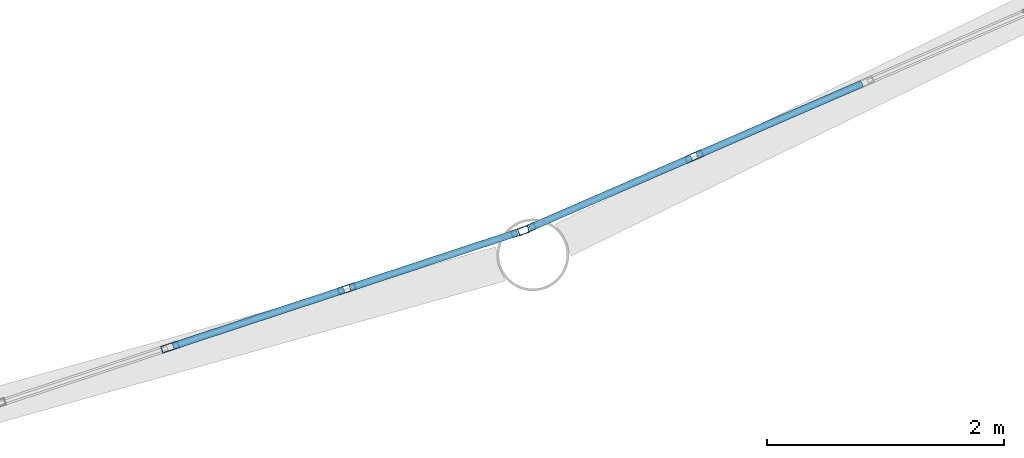
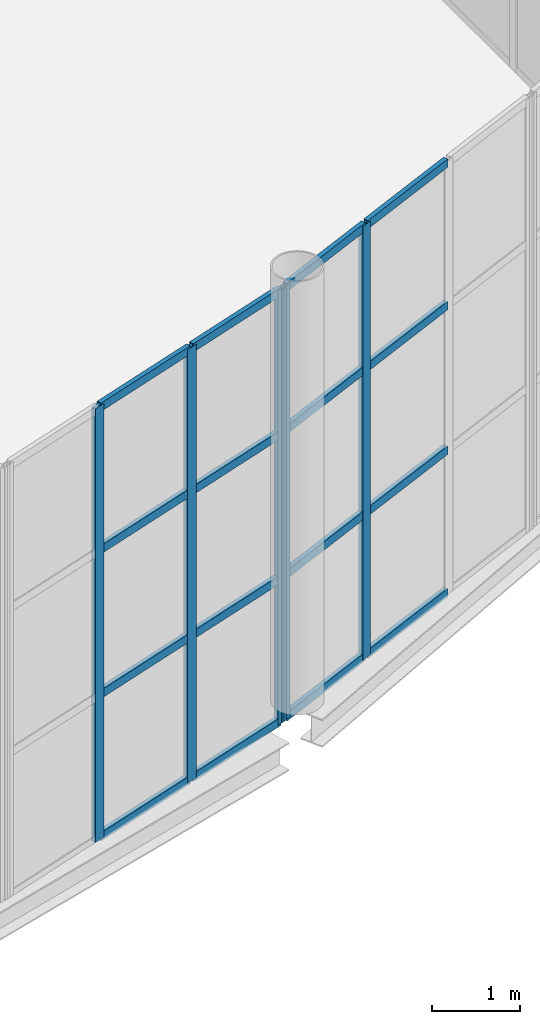
# One storey, part 46 of 191: 21 members, 2 elements without a shape of their own.
"""IFC4 building model written with IfcOpenShell, lengths in metres."""

from ifc_helpers import new_model, si_unit, direction, frame, origin, origin_2d, place, context, subcontext, project, spatial, hollow_rectangle, extrude, material, layer, layer_set, material_profile, profile_set, type_object, element, aggregate, save


model = new_model("IFC4")

# Units and contexts
model_context = context("Model", 3, precision=1e-05, world=origin(), true_north=direction((0.0, 1.0)))
body_context = subcontext(model_context, "Body", "Model", "MODEL_VIEW")
ifc_project = project(units=[si_unit("LENGTHUNIT", "METRE"), si_unit("AREAUNIT", "SQUARE_METRE"), si_unit("VOLUMEUNIT", "CUBIC_METRE"), si_unit("PLANEANGLEUNIT", "RADIAN"), si_unit("MASSUNIT", "GRAM", prefix="KILO")], contexts=[model_context])

# Site, building, storey
site_placement = place(None, origin())
site = spatial("IfcSite", under=ifc_project, at=site_placement, CompositionType="ELEMENT")
building_placement = place(site_placement, origin())
building = spatial("IfcBuilding", under=site, at=building_placement, Name="Tamarisk Ironworks Central Station", CompositionType="ELEMENT")
storey_placement = place(building_placement, frame((0.0, 0.0, 6.60009765625)))
storey = spatial("IfcBuildingStorey", under=building, at=storey_placement, Name="L01", CompositionType="ELEMENT", Elevation=6.60009765625)

# Curtain wall, members
ifc_material = material(Name="Anodized aluminium alloy 6063-T6", Category="aluminium")
ifc_layer = layer(ifc_material, 0.179931640625)
ifc_layer_set = layer_set([ifc_layer], Name="Anodized aluminium alloy 6063-T6")
curtain_wall_type = type_object("IfcCurtainWallType", Name="CW-02", PredefinedType="USERDEFINED", material=ifc_layer_set)
curtain_wall_1_placement = place(storey_placement, origin())
curtain_wall_1 = element("IfcCurtainWall", 1, at=curtain_wall_1_placement, inside=storey, type_object=curtain_wall_type, Name="SN rounded entrance hall L01 curtain wall bay 10", ObjectType="GLAZED CURTAIN WALL", PredefinedType="USERDEFINED")
ifc_material_profile_1 = material_profile(ifc_material, hollow_rectangle(XDim=0.06005859375, YDim=0.14990234375, WallThickness=0.00341796875, at=origin_2d()), Name="ALUM 150x60")
ifc_profile_set_1 = profile_set([ifc_material_profile_1], Name="Anodized aluminium alloy 6063-T6")
member_type_1 = type_object("IfcMemberType", Name="CWM-03", PredefinedType="MULLION", material=ifc_profile_set_1)
member_1_placement = place(storey_placement, frame((96.449951171875, 5.86962890625, -0.385009765625), z_axis=(0.0, 0.0, 1.0), x_axis=(-0.313098460171, 0.949720671692, 0.0)))
member_1 = element("IfcMember", 2, at=member_1_placement, type_object=member_type_1, Name="CW02 mullion 2", PredefinedType="MULLION", context=body_context, shape_type="SweptSolid", body=[
    extrude(hollow_rectangle(XDim=0.06005859375, YDim=0.14990234375, WallThickness=0.00341796875, at=origin_2d()), origin(), (0.0, 0.0, 1.0), 6.0048828125),
])
member_2_placement = place(storey_placement, frame((97.94091796875, 6.361083984375, -0.385009765625), z_axis=(0.0, 0.0, 1.0), x_axis=(-0.313098460171, 0.949720671692, 0.0)))
member_2 = element("IfcMember", 3, at=member_2_placement, type_object=member_type_1, Name="CW02 mullion 3", PredefinedType="MULLION", context=body_context, shape_type="SweptSolid", body=[
    extrude(hollow_rectangle(XDim=0.06005859375, YDim=0.14990234375, WallThickness=0.00341796875, at=origin_2d()), origin(), (0.0, 0.0, 1.0), 6.0048828125),
])
member_3_placement = place(storey_placement, frame((99.4033203125, 6.84326171875, -0.385009765625), z_axis=(0.0, 0.0, 1.0), x_axis=(-0.313098460171, 0.949720671692, 0.0)))
member_3 = element("IfcMember", 4, at=member_3_placement, type_object=member_type_1, Name="CW02 mullion 4", PredefinedType="MULLION", context=body_context, shape_type="SweptSolid", body=[
    extrude(hollow_rectangle(XDim=0.06005859375, YDim=0.14990234375, WallThickness=0.00341796875, at=origin_2d()), origin(), (0.0, 0.0, 1.0), 6.0048828125),
])

curtain_wall_2_placement = place(storey_placement, origin())
curtain_wall_2 = element("IfcCurtainWall", 5, at=curtain_wall_2_placement, inside=storey, type_object=curtain_wall_type, Name="SN rounded entrance hall L01 curtain wall bay 11", ObjectType="GLAZED CURTAIN WALL", PredefinedType="USERDEFINED")
member_4_placement = place(storey_placement, frame((99.459228515625, 6.864501953125, -0.385009765625), z_axis=(0.0, 0.0, 1.0), x_axis=(-0.398076935564, 0.917352033503, 0.0)))
member_4 = element("IfcMember", 6, at=member_4_placement, type_object=member_type_1, Name="CW02 mullion 1", PredefinedType="MULLION", context=body_context, shape_type="SweptSolid", body=[
    extrude(hollow_rectangle(XDim=0.06005859375, YDim=0.14990234375, WallThickness=0.00341796875, at=origin_2d()), origin(), (0.0, 0.0, 1.0), 6.0048828125),
])
member_5_placement = place(storey_placement, frame((100.871826171875, 7.4775390625, -0.385009765625), z_axis=(0.0, 0.0, 1.0), x_axis=(-0.398076935564, 0.917352033503, 0.0)))
member_5 = element("IfcMember", 7, at=member_5_placement, type_object=member_type_1, Name="CW02 mullion 2", PredefinedType="MULLION", context=body_context, shape_type="SweptSolid", body=[
    extrude(hollow_rectangle(XDim=0.06005859375, YDim=0.14990234375, WallThickness=0.00341796875, at=origin_2d()), origin(), (0.0, 0.0, 1.0), 6.0048828125),
])

# Member
ifc_material_profile_2 = material_profile(ifc_material, hollow_rectangle(XDim=0.06005859375, YDim=0.114990234375, WallThickness=0.00341796875, at=origin_2d()), Name="ALUM 115x60")
ifc_profile_set_2 = profile_set([ifc_material_profile_2], Name="Anodized aluminium alloy 6063-T6")
member_type_2 = type_object("IfcMemberType", Name="CWT-03", PredefinedType="USERDEFINED", material=ifc_profile_set_2)
member_6_placement = place(storey_placement, frame((96.474609375, 5.877685546875, -0.35498046875), z_axis=(0.94970759138, 0.313138133856, 0.0), x_axis=(-0.313138133856, 0.94970759138, 0.0)))
member_6 = element("IfcMember", 8, at=member_6_placement, type_object=member_type_2, Name="CW02 transom 2.1", ObjectType="TRANSOM", PredefinedType="USERDEFINED", context=body_context, shape_type="SweptSolid", body=[
    extrude(hollow_rectangle(XDim=0.06005859375, YDim=0.114990234375, WallThickness=0.00341796875, at=origin_2d()), origin(), (0.0, 0.0, 1.0), 1.51806640625),
])

member_7_placement = place(storey_placement, frame((96.474609375, 5.877685546875, 1.61669921875), z_axis=(0.94970759138, 0.313138133856, 0.0), x_axis=(-0.313138133856, 0.94970759138, 0.0)))
member_7 = element("IfcMember", 9, at=member_7_placement, type_object=member_type_2, Name="CW02 transom 2.2", ObjectType="TRANSOM", PredefinedType="USERDEFINED", context=body_context, shape_type="SweptSolid", body=[
    extrude(hollow_rectangle(XDim=0.06005859375, YDim=0.114990234375, WallThickness=0.00341796875, at=origin_2d()), origin(), (0.0, 0.0, 1.0), 1.51806640625),
])

member_8_placement = place(storey_placement, frame((96.474609375, 5.877685546875, 3.6181640625), z_axis=(0.94970759138, 0.313138133856, 0.0), x_axis=(-0.313138133856, 0.94970759138, 0.0)))
member_8 = element("IfcMember", 10, at=member_8_placement, type_object=member_type_2, Name="CW02 transom 2.3", ObjectType="TRANSOM", PredefinedType="USERDEFINED", context=body_context, shape_type="SweptSolid", body=[
    extrude(hollow_rectangle(XDim=0.06005859375, YDim=0.114990234375, WallThickness=0.00341796875, at=origin_2d()), origin(), (0.0, 0.0, 1.0), 1.51806640625),
])

member_9_placement = place(storey_placement, frame((96.474609375, 5.877685546875, 5.58984375), z_axis=(0.94970759138, 0.313138133856, 0.0), x_axis=(-0.313138133856, 0.94970759138, 0.0)))
member_9 = element("IfcMember", 11, at=member_9_placement, type_object=member_type_2, Name="CW02 transom 2.4", ObjectType="TRANSOM", PredefinedType="USERDEFINED", context=body_context, shape_type="SweptSolid", body=[
    extrude(hollow_rectangle(XDim=0.06005859375, YDim=0.114990234375, WallThickness=0.00341796875, at=origin_2d()), origin(), (0.0, 0.0, 1.0), 1.51806640625),
])

member_10_placement = place(storey_placement, frame((97.965576171875, 6.369140625, -0.35498046875), z_axis=(0.949728215622, 0.313075576262, 0.0), x_axis=(-0.313075576262, 0.949728215622, 0.0)))
member_10 = element("IfcMember", 12, at=member_10_placement, type_object=member_type_2, Name="CW02 transom 3.1", ObjectType="TRANSOM", PredefinedType="USERDEFINED", context=body_context, shape_type="SweptSolid", body=[
    extrude(hollow_rectangle(XDim=0.06005859375, YDim=0.114990234375, WallThickness=0.00341796875, at=origin_2d()), origin(), (0.0, 0.0, 1.0), 1.48779296875),
])

member_11_placement = place(storey_placement, frame((97.965576171875, 6.369140625, 1.61669921875), z_axis=(0.949728215622, 0.313075576262, 0.0), x_axis=(-0.313075576262, 0.949728215622, 0.0)))
member_11 = element("IfcMember", 13, at=member_11_placement, type_object=member_type_2, Name="CW02 transom 3.2", ObjectType="TRANSOM", PredefinedType="USERDEFINED", context=body_context, shape_type="SweptSolid", body=[
    extrude(hollow_rectangle(XDim=0.06005859375, YDim=0.114990234375, WallThickness=0.00341796875, at=origin_2d()), origin(), (0.0, 0.0, 1.0), 1.48779296875),
])

member_12_placement = place(storey_placement, frame((97.965576171875, 6.369140625, 3.6181640625), z_axis=(0.949728215622, 0.313075576262, 0.0), x_axis=(-0.313075576262, 0.949728215622, 0.0)))
member_12 = element("IfcMember", 14, at=member_12_placement, type_object=member_type_2, Name="CW02 transom 3.3", ObjectType="TRANSOM", PredefinedType="USERDEFINED", context=body_context, shape_type="SweptSolid", body=[
    extrude(hollow_rectangle(XDim=0.06005859375, YDim=0.114990234375, WallThickness=0.00341796875, at=origin_2d()), origin(), (0.0, 0.0, 1.0), 1.48779296875),
])

member_13_placement = place(storey_placement, frame((97.965576171875, 6.369140625, 5.58984375), z_axis=(0.949728215622, 0.313075576262, 0.0), x_axis=(-0.313075576262, 0.949728215622, 0.0)))
member_13 = element("IfcMember", 15, at=member_13_placement, type_object=member_type_2, Name="CW02 transom 3.4", ObjectType="TRANSOM", PredefinedType="USERDEFINED", context=body_context, shape_type="SweptSolid", body=[
    extrude(hollow_rectangle(XDim=0.06005859375, YDim=0.114990234375, WallThickness=0.00341796875, at=origin_2d()), origin(), (0.0, 0.0, 1.0), 1.48779296875),
])

aggregate(curtain_wall_1, [member_1, member_2, member_3, member_6, member_7, member_8, member_9, member_10, member_11, member_12, member_13])

member_14_placement = place(storey_placement, frame((99.483154296875, 6.875, -0.35498046875), z_axis=(0.91736196863, 0.398054039688, 0.0), x_axis=(-0.398054039688, 0.91736196863, 0.0)))
member_14 = element("IfcMember", 16, at=member_14_placement, type_object=member_type_2, Name="CW02 transom 1.1", ObjectType="TRANSOM", PredefinedType="USERDEFINED", context=body_context, shape_type="SweptSolid", body=[
    extrude(hollow_rectangle(XDim=0.06005859375, YDim=0.114990234375, WallThickness=0.00341796875, at=origin_2d()), origin(), (0.0, 0.0, 1.0), 1.488037109375),
])

member_15_placement = place(storey_placement, frame((99.483154296875, 6.875, 1.61669921875), z_axis=(0.91736196863, 0.398054039688, 0.0), x_axis=(-0.398054039688, 0.91736196863, 0.0)))
member_15 = element("IfcMember", 17, at=member_15_placement, type_object=member_type_2, Name="CW02 transom 1.2", ObjectType="TRANSOM", PredefinedType="USERDEFINED", context=body_context, shape_type="SweptSolid", body=[
    extrude(hollow_rectangle(XDim=0.06005859375, YDim=0.114990234375, WallThickness=0.00341796875, at=origin_2d()), origin(), (0.0, 0.0, 1.0), 1.488037109375),
])

member_16_placement = place(storey_placement, frame((99.483154296875, 6.875, 3.6181640625), z_axis=(0.91736196863, 0.398054039688, 0.0), x_axis=(-0.398054039688, 0.91736196863, 0.0)))
member_16 = element("IfcMember", 18, at=member_16_placement, type_object=member_type_2, Name="CW02 transom 1.3", ObjectType="TRANSOM", PredefinedType="USERDEFINED", context=body_context, shape_type="SweptSolid", body=[
    extrude(hollow_rectangle(XDim=0.06005859375, YDim=0.114990234375, WallThickness=0.00341796875, at=origin_2d()), origin(), (0.0, 0.0, 1.0), 1.488037109375),
])

member_17_placement = place(storey_placement, frame((99.483154296875, 6.875, 5.58984375), z_axis=(0.91736196863, 0.398054039688, 0.0), x_axis=(-0.398054039688, 0.91736196863, 0.0)))
member_17 = element("IfcMember", 19, at=member_17_placement, type_object=member_type_2, Name="CW02 transom 1.4", ObjectType="TRANSOM", PredefinedType="USERDEFINED", context=body_context, shape_type="SweptSolid", body=[
    extrude(hollow_rectangle(XDim=0.06005859375, YDim=0.114990234375, WallThickness=0.00341796875, at=origin_2d()), origin(), (0.0, 0.0, 1.0), 1.488037109375),
])

member_18_placement = place(storey_placement, frame((100.895751953125, 7.48779296875, -0.35498046875), z_axis=(0.917363848838, 0.3980497065, 0.0), x_axis=(-0.3980497065, 0.917363848838, 0.0)))
member_18 = element("IfcMember", 20, at=member_18_placement, type_object=member_type_2, Name="CW02 transom 2.1", ObjectType="TRANSOM", PredefinedType="USERDEFINED", context=body_context, shape_type="SweptSolid", body=[
    extrude(hollow_rectangle(XDim=0.06005859375, YDim=0.114990234375, WallThickness=0.00341796875, at=origin_2d()), origin(), (0.0, 0.0, 1.0), 1.51806640625),
])

member_19_placement = place(storey_placement, frame((100.895751953125, 7.48779296875, 1.61669921875), z_axis=(0.917363848838, 0.3980497065, 0.0), x_axis=(-0.3980497065, 0.917363848838, 0.0)))
member_19 = element("IfcMember", 21, at=member_19_placement, type_object=member_type_2, Name="CW02 transom 2.2", ObjectType="TRANSOM", PredefinedType="USERDEFINED", context=body_context, shape_type="SweptSolid", body=[
    extrude(hollow_rectangle(XDim=0.06005859375, YDim=0.114990234375, WallThickness=0.00341796875, at=origin_2d()), origin(), (0.0, 0.0, 1.0), 1.51806640625),
])

member_20_placement = place(storey_placement, frame((100.895751953125, 7.48779296875, 3.6181640625), z_axis=(0.917363848838, 0.3980497065, 0.0), x_axis=(-0.3980497065, 0.917363848838, 0.0)))
member_20 = element("IfcMember", 22, at=member_20_placement, type_object=member_type_2, Name="CW02 transom 2.3", ObjectType="TRANSOM", PredefinedType="USERDEFINED", context=body_context, shape_type="SweptSolid", body=[
    extrude(hollow_rectangle(XDim=0.06005859375, YDim=0.114990234375, WallThickness=0.00341796875, at=origin_2d()), origin(), (0.0, 0.0, 1.0), 1.51806640625),
])

member_21_placement = place(storey_placement, frame((100.895751953125, 7.48779296875, 5.58984375), z_axis=(0.917363848838, 0.3980497065, 0.0), x_axis=(-0.3980497065, 0.917363848838, 0.0)))
member_21 = element("IfcMember", 23, at=member_21_placement, type_object=member_type_2, Name="CW02 transom 2.4", ObjectType="TRANSOM", PredefinedType="USERDEFINED", context=body_context, shape_type="SweptSolid", body=[
    extrude(hollow_rectangle(XDim=0.06005859375, YDim=0.114990234375, WallThickness=0.00341796875, at=origin_2d()), origin(), (0.0, 0.0, 1.0), 1.51806640625),
])

aggregate(curtain_wall_2, [member_4, member_5, member_14, member_15, member_16, member_17, member_18, member_19, member_20, member_21])

save(model, "model.ifc")
